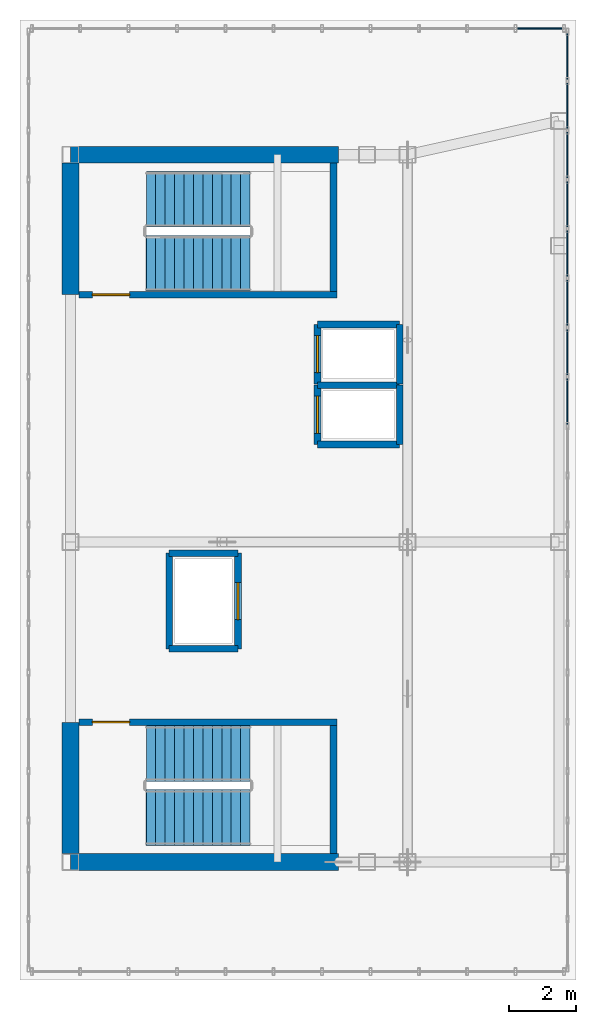
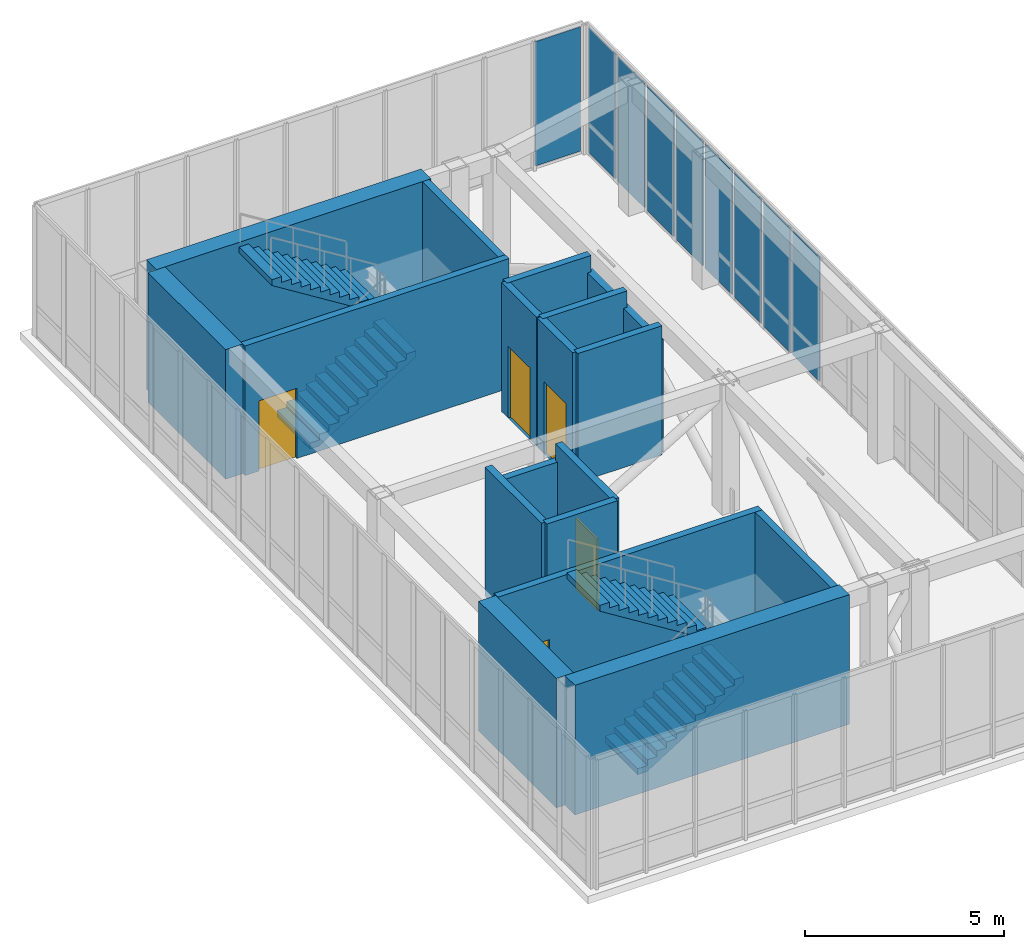
# One storey, part 12 of 13: 19 walls, 9 plates, 5 doors, 4 stair flights, 5 openings, 4 elements without a shape of their own.
"""IFC4 building model written with IfcOpenShell, lengths in metres."""

from ifc_helpers import new_model, si_unit, direction, frame, frame_2d, origin, origin_2d, place, context, subcontext, project, spatial, polyline, rectangle, outline, extrude, source, transform, mapped, material, layer, layer_set, type_object, element, fill, aggregate, save


model = new_model("IFC4")

# Units and contexts
model_context = context("Model", 3, precision=1e-05, world=origin(), true_north=direction((0.0, 1.0)))
body_context = subcontext(model_context, "Body", "Model", "MODEL_VIEW")
ifc_project = project(units=[si_unit("LENGTHUNIT", "METRE"), si_unit("AREAUNIT", "SQUARE_METRE"), si_unit("VOLUMEUNIT", "CUBIC_METRE"), si_unit("PLANEANGLEUNIT", "RADIAN"), si_unit("MASSUNIT", "GRAM", prefix="KILO")], contexts=[model_context])

# Site, building, storey
site_placement = place(None, origin())
site = spatial("IfcSite", under=ifc_project, at=site_placement, CompositionType="ELEMENT")
building_placement = place(site_placement, origin())
building = spatial("IfcBuilding", under=site, at=building_placement, Name="Kharzan Plaza Tower", CompositionType="ELEMENT")
storey_placement = place(building_placement, frame((0.0, 0.0, 289.800048828125)))
storey = spatial("IfcBuildingStorey", under=building, at=storey_placement, Name="L78-CROWN", CompositionType="ELEMENT", Elevation=289.800048828125)

# Curtain wall, plate
ifc_material_1 = material(Name="Unitised Bronze-Anodized Aluminium and Low-E Glass", Category="aluminium")
ifc_layer_1 = layer(ifc_material_1, 0.199951171875)
ifc_layer_set_1 = layer_set([ifc_layer_1], Name="Unitised Bronze-Anodized Aluminium and Low-E Glass")
curtain_wall_type = type_object("IfcCurtainWallType", Name="CW-LANTERN-6", PredefinedType="NOTDEFINED", material=ifc_layer_set_1)
curtain_wall_1_placement = place(storey_placement, origin())
curtain_wall_1 = element("IfcCurtainWall", 1, at=curtain_wall_1_placement, inside=storey, type_object=curtain_wall_type, Name="L78-CROWN Lantern Crown Illuminated Curtain Wall 3", PredefinedType="NOTDEFINED")
ifc_material_2 = material(Name="Low-Iron Fritted Lantern Crown Glazing", Category="glass")
ifc_layer_2 = layer(ifc_material_2, 0.035888671875)
ifc_layer_set_2 = layer_set([ifc_layer_2], Name="Low-Iron Fritted Lantern Crown Glazing")
plate_type = type_object("IfcPlateType", Name="PLT-CW-LANTERN", PredefinedType="CURTAIN_PANEL", material=ifc_layer_set_2)
shared_shape_1 = source(origin(), body_context, "Body", "SweptSolid", [
    extrude(rectangle(XDim=1.31640625, YDim=0.035888671875, at=origin_2d()), origin(), (0.0, 0.0, 1.0), 3.81005859375),
])
plate_1_placement = place(storey_placement, frame((18.431884765625, 33.25, 0.079833984375), z_axis=(0.0, 0.0, 1.0), x_axis=(-1.0, 0.0, 0.0)))
plate_1 = element("IfcPlate", 2, at=plate_1_placement, type_object=plate_type, Name="L78-CROWN Curtain-Wall Glazed Panel 00", PredefinedType="CURTAIN_PANEL", context=body_context, shape_type="MappedRepresentation", body=[
    mapped(shared_shape_1, transform((0.0, 0.0, 0.0), x_axis=(1.0, 0.0, 0.0), y_axis=(0.0, 1.0, 0.0), z_axis=(0.0, 0.0, 1.0))),
])
aggregate(curtain_wall_1, [plate_1])

# Curtain wall, plates
curtain_wall_2_placement = place(storey_placement, origin())
curtain_wall_2 = element("IfcCurtainWall", 3, at=curtain_wall_2_placement, inside=storey, type_object=curtain_wall_type, Name="L78-CROWN Lantern Crown Illuminated Curtain Wall 2", PredefinedType="NOTDEFINED")
shared_shape_2 = source(origin(), body_context, "Body", "SweptSolid", [
    extrude(rectangle(XDim=1.34326171875, YDim=0.035888671875, at=origin_2d()), origin(), (0.0, 0.0, 1.0), 3.81005859375),
])
plate_2_placement = place(storey_placement, frame((19.25, 22.17626953125, 0.079833984375), z_axis=(0.0, 0.0, 1.0), x_axis=(0.0, 1.0, 0.0)))
plate_2 = element("IfcPlate", 4, at=plate_2_placement, type_object=plate_type, Name="L78-CROWN Curtain-Wall Glazed Panel 11", PredefinedType="CURTAIN_PANEL", context=body_context, shape_type="MappedRepresentation", body=[
    mapped(shared_shape_2, transform((0.0, 0.0, 0.0), x_axis=(1.0, 0.0, 0.0), y_axis=(0.0, 1.0, 0.0), z_axis=(0.0, 0.0, 1.0))),
])
plate_3_placement = place(storey_placement, frame((19.25, 23.639404296875, 0.079833984375), z_axis=(0.0, 0.0, 1.0), x_axis=(0.0, 1.0, 0.0)))
plate_3 = element("IfcPlate", 5, at=plate_3_placement, type_object=plate_type, Name="L78-CROWN Curtain-Wall Glazed Panel 12", PredefinedType="CURTAIN_PANEL", context=body_context, shape_type="MappedRepresentation", body=[
    mapped(shared_shape_2, transform((0.0, 0.0, 0.0), x_axis=(1.0, 0.0, 0.0), y_axis=(0.0, 1.0, 0.0), z_axis=(0.0, 0.0, 1.0))),
])
plate_4_placement = place(storey_placement, frame((19.25, 25.1025390625, 0.079833984375), z_axis=(0.0, 0.0, 1.0), x_axis=(0.0, 1.0, 0.0)))
plate_4 = element("IfcPlate", 6, at=plate_4_placement, type_object=plate_type, Name="L78-CROWN Curtain-Wall Glazed Panel 13", PredefinedType="CURTAIN_PANEL", context=body_context, shape_type="MappedRepresentation", body=[
    mapped(shared_shape_2, transform((0.0, 0.0, 0.0), x_axis=(1.0, 0.0, 0.0), y_axis=(0.0, 1.0, 0.0), z_axis=(0.0, 0.0, 1.0))),
])
plate_5_placement = place(storey_placement, frame((19.25, 26.56591796875, 0.079833984375), z_axis=(0.0, 0.0, 1.0), x_axis=(0.0, 1.0, 0.0)))
plate_5 = element("IfcPlate", 7, at=plate_5_placement, type_object=plate_type, Name="L78-CROWN Curtain-Wall Glazed Panel 14", PredefinedType="CURTAIN_PANEL", context=body_context, shape_type="MappedRepresentation", body=[
    mapped(shared_shape_2, transform((0.0, 0.0, 0.0), x_axis=(1.0, 0.0, 0.0), y_axis=(0.0, 1.0, 0.0), z_axis=(0.0, 0.0, 1.0))),
])
plate_6_placement = place(storey_placement, frame((19.25, 28.02880859375, 0.079833984375), z_axis=(0.0, 0.0, 1.0), x_axis=(0.0, 1.0, 0.0)))
plate_6 = element("IfcPlate", 8, at=plate_6_placement, type_object=plate_type, Name="L78-CROWN Curtain-Wall Glazed Panel 15", PredefinedType="CURTAIN_PANEL", context=body_context, shape_type="MappedRepresentation", body=[
    mapped(shared_shape_2, transform((0.0, 0.0, 0.0), x_axis=(1.0, 0.0, 0.0), y_axis=(0.0, 1.0, 0.0), z_axis=(0.0, 0.0, 1.0))),
])
plate_7_placement = place(storey_placement, frame((19.25, 29.4921875, 0.079833984375), z_axis=(0.0, 0.0, 1.0), x_axis=(0.0, 1.0, 0.0)))
plate_7 = element("IfcPlate", 9, at=plate_7_placement, type_object=plate_type, Name="L78-CROWN Curtain-Wall Glazed Panel 16", PredefinedType="CURTAIN_PANEL", context=body_context, shape_type="MappedRepresentation", body=[
    mapped(shared_shape_2, transform((0.0, 0.0, 0.0), x_axis=(1.0, 0.0, 0.0), y_axis=(0.0, 1.0, 0.0), z_axis=(0.0, 0.0, 1.0))),
])
plate_8_placement = place(storey_placement, frame((19.25, 30.955322265625, 0.079833984375), z_axis=(0.0, 0.0, 1.0), x_axis=(0.0, 1.0, 0.0)))
plate_8 = element("IfcPlate", 10, at=plate_8_placement, type_object=plate_type, Name="L78-CROWN Curtain-Wall Glazed Panel 17", PredefinedType="CURTAIN_PANEL", context=body_context, shape_type="MappedRepresentation", body=[
    mapped(shared_shape_2, transform((0.0, 0.0, 0.0), x_axis=(1.0, 0.0, 0.0), y_axis=(0.0, 1.0, 0.0), z_axis=(0.0, 0.0, 1.0))),
])
plate_9_placement = place(storey_placement, frame((19.25, 32.41845703125, 0.079833984375), z_axis=(0.0, 0.0, 1.0), x_axis=(0.0, 1.0, 0.0)))
plate_9 = element("IfcPlate", 11, at=plate_9_placement, type_object=plate_type, Name="L78-CROWN Curtain-Wall Glazed Panel 18", PredefinedType="CURTAIN_PANEL", context=body_context, shape_type="MappedRepresentation", body=[
    mapped(shared_shape_2, transform((0.0, 0.0, 0.0), x_axis=(1.0, 0.0, 0.0), y_axis=(0.0, 1.0, 0.0), z_axis=(0.0, 0.0, 1.0))),
])
aggregate(curtain_wall_2, [plate_2, plate_3, plate_4, plate_5, plate_6, plate_7, plate_8, plate_9])

# Wall, opening, door
ifc_material_3 = material(Name="Concrete C40/50", Category="concrete")
ifc_layer_3 = layer(ifc_material_3, 0.199951171875)
ifc_layer_set_3 = layer_set([ifc_layer_3], Name="Concrete C40/50")
wall_type_1 = type_object("IfcWallType", Name="WL-INT-SHAFT-200", PredefinedType="PARTITIONING", material=ifc_layer_set_3)
wall_1_placement = place(storey_placement, frame((11.830078125, 20.89990234375, 0.0), z_axis=(0.0, 0.0, 1.0), x_axis=(0.0, 1.0, 0.0)))
wall_1 = element("IfcWall", 12, at=wall_1_placement, inside=storey, type_object=wall_type_1, Name="L78-CROWN Interior Partition SHF-FFL-1-W", PredefinedType="PARTITIONING", context=body_context, shape_type="SweptSolid", body=[
    extrude(rectangle(XDim=1.760009765625, YDim=0.199951171875, at=frame_2d((0.8798828125, 0.0))), origin(), (0.0, 0.0, 1.0), 3.954833984375),
])
opening_1_placement = place(wall_1_placement, frame((0.330078125, 0.0, 0.0)))
opening_1 = element("IfcOpeningElement", 13, at=opening_1_placement, cuts=wall_1, Name="Opening LD", PredefinedType="OPENING", context=body_context, shape_type="SweptSolid", body=[
    extrude(rectangle(XDim=1.10009765625, YDim=2.199951171875, at=frame_2d((0.550048828125, 1.10009765625))), frame((0.0, 0.10986328125, 0.0), z_axis=(0.0, -1.0, 0.0), x_axis=(1.0, 0.0, 0.0)), (0.0, 0.0, 1.0), 0.219970703125),
])
ifc_material_4 = material(Name="Brushed Stainless Steel", Category="steel")
door_type_1 = type_object("IfcDoorType", Name="DR-LIFT-SLIDE", OperationType="SLIDING_TO_LEFT", PredefinedType="DOOR", material=ifc_material_4)
shared_shape_3 = source(origin(), body_context, "Body", "SweptSolid", [
    extrude(rectangle(XDim=1.10009765625, YDim=2.199951171875, at=frame_2d((0.550048828125, 1.10009765625))), frame((0.0, 0.02490234375, 0.0), z_axis=(0.0, -1.0, 0.0), x_axis=(1.0, 0.0, 0.0)), (0.0, 0.0, 1.0), 0.050048828125),
])
door_1_placement = place(opening_1_placement, origin())
door_1 = element("IfcDoor", 14, at=door_1_placement, inside=storey, type_object=door_type_1, Name="L78-CROWN Firefighting Lift FFL-1 Sliding Landing Door", OperationType="SLIDING_TO_LEFT", OverallHeight=2.199951171875, OverallWidth=1.10009765625, PredefinedType="DOOR", context=body_context, shape_type="MappedRepresentation", body=[
    mapped(shared_shape_3, transform((0.0, 0.0, 0.0), x_axis=(1.0, 0.0, 0.0), y_axis=(0.0, 1.0, 0.0), z_axis=(0.0, 0.0, 1.0))),
])
fill(opening_1, door_1)

wall_2_placement = place(storey_placement, frame((11.830078125, 22.699951171875, 0.0), z_axis=(0.0, 0.0, 1.0), x_axis=(0.0, 1.0, 0.0)))
wall_2 = element("IfcWall", 15, at=wall_2_placement, inside=storey, type_object=wall_type_1, Name="L78-CROWN Interior Partition SHF-FFL-2-W", PredefinedType="PARTITIONING", context=body_context, shape_type="SweptSolid", body=[
    extrude(rectangle(XDim=1.760009765625, YDim=0.199951171875, at=frame_2d((0.8798828125, 0.0))), origin(), (0.0, 0.0, 1.0), 3.954833984375),
])
opening_2_placement = place(wall_2_placement, frame((0.330078125, 0.0, 0.0)))
opening_2 = element("IfcOpeningElement", 16, at=opening_2_placement, cuts=wall_2, Name="Opening LD", PredefinedType="OPENING", context=body_context, shape_type="SweptSolid", body=[
    extrude(rectangle(XDim=1.10009765625, YDim=2.199951171875, at=frame_2d((0.550048828125, 1.10009765625))), frame((0.0, 0.10986328125, 0.0), z_axis=(0.0, -1.0, 0.0), x_axis=(1.0, 0.0, 0.0)), (0.0, 0.0, 1.0), 0.219970703125),
])
door_2_placement = place(opening_2_placement, origin())
door_2 = element("IfcDoor", 17, at=door_2_placement, inside=storey, type_object=door_type_1, Name="L78-CROWN Firefighting Lift FFL-2 Sliding Landing Door", OperationType="SLIDING_TO_LEFT", OverallHeight=2.199951171875, OverallWidth=1.10009765625, PredefinedType="DOOR", context=body_context, shape_type="MappedRepresentation", body=[
    mapped(shared_shape_3, transform((0.0, 0.0, 0.0), x_axis=(1.0, 0.0, 0.0), y_axis=(0.0, 1.0, 0.0), z_axis=(0.0, 0.0, 1.0))),
])
fill(opening_2, door_2)

wall_3_placement = place(storey_placement, frame((9.469970703125, 14.830078125, 0.0), z_axis=(0.0, 0.0, 1.0), x_axis=(0.0, 1.0, 0.0)))
wall_3 = element("IfcWall", 18, at=wall_3_placement, inside=storey, type_object=wall_type_1, Name="L78-CROWN Interior Partition SHF-SVL-1-E", PredefinedType="PARTITIONING", context=body_context, shape_type="SweptSolid", body=[
    extrude(rectangle(XDim=2.83984375, YDim=0.199951171875, at=frame_2d((1.419921875, 0.0))), origin(), (0.0, 0.0, 1.0), 3.954833984375),
])
opening_3_placement = place(wall_3_placement, frame((0.8701171875, 0.0, 0.0)))
opening_3 = element("IfcOpeningElement", 19, at=opening_3_placement, cuts=wall_3, Name="Opening LD", PredefinedType="OPENING", context=body_context, shape_type="SweptSolid", body=[
    extrude(rectangle(XDim=1.10009765625, YDim=2.199951171875, at=frame_2d((0.550048828125, 1.10009765625))), frame((0.0, 0.10986328125, 0.0), z_axis=(0.0, -1.0, 0.0), x_axis=(1.0, 0.0, 0.0)), (0.0, 0.0, 1.0), 0.219970703125),
])
door_3_placement = place(opening_3_placement, origin())
door_3 = element("IfcDoor", 20, at=door_3_placement, inside=storey, type_object=door_type_1, Name="L78-CROWN Service Lift SVL-1 Sliding Landing Door", OperationType="SLIDING_TO_LEFT", OverallHeight=2.199951171875, OverallWidth=1.10009765625, PredefinedType="DOOR", context=body_context, shape_type="MappedRepresentation", body=[
    mapped(shared_shape_3, transform((0.0, 0.0, 0.0), x_axis=(1.0, 0.0, 0.0), y_axis=(0.0, 1.0, 0.0), z_axis=(0.0, 0.0, 1.0))),
])
fill(opening_3, door_3)

ifc_material_5 = material(Name="Concrete C50/60", Category="concrete")
ifc_layer_4 = layer(ifc_material_5, 0.199951171875)
ifc_layer_set_4 = layer_set([ifc_layer_4], Name="Concrete C50/60")
wall_type_2 = type_object("IfcWallType", Name="WL-SHAFT-RC200", PredefinedType="SHEAR", material=ifc_layer_set_4)
wall_4_placement = place(storey_placement, frame((4.751953125, 12.655029296875, 0.0), z_axis=(0.0, 0.0, 1.0), x_axis=(1.0, 0.0, 0.0)))
wall_4 = element("IfcWall", 21, at=wall_4_placement, inside=storey, type_object=wall_type_2, Name="L78-CROWN Stair ST-1 North RC Shaft Wall", PredefinedType="SHEAR", context=body_context, shape_type="SweptSolid", body=[
    extrude(rectangle(XDim=7.653076171875, YDim=0.199951171875, at=frame_2d((3.82666015625, 0.0))), origin(), (0.0, 0.0, 1.0), 3.969970703125),
])
opening_4_placement = place(wall_4_placement, frame((0.39990234375, 0.0, 0.0)))
opening_4 = element("IfcOpeningElement", 22, at=opening_4_placement, cuts=wall_4, Name="Opening SD1", PredefinedType="OPENING", context=body_context, shape_type="SweptSolid", body=[
    extrude(rectangle(XDim=1.10009765625, YDim=2.14990234375, at=frame_2d((0.550048828125, 1.074951171875))), frame((0.0, 0.10986328125, 0.0), z_axis=(0.0, -1.0, 0.0), x_axis=(1.0, 0.0, 0.0)), (0.0, 0.0, 1.0), 0.219970703125),
])
ifc_material_6 = material(Name="Fire-Rated Hollow Galvanized Steel", Category="steel")
door_type_2 = type_object("IfcDoorType", Name="DR-STAIR-FD120", OperationType="NOTDEFINED", PredefinedType="DOOR", material=ifc_material_6)
shared_shape_4 = source(origin(), body_context, "Body", "SweptSolid", [
    extrude(rectangle(XDim=1.10009765625, YDim=2.14990234375, at=frame_2d((0.550048828125, 1.074951171875))), frame((0.0, 0.02490234375, 0.0), z_axis=(0.0, -1.0, 0.0), x_axis=(1.0, 0.0, 0.0)), (0.0, 0.0, 1.0), 0.050048828125),
])
door_4_placement = place(opening_4_placement, origin())
door_4 = element("IfcDoor", 23, at=door_4_placement, inside=storey, type_object=door_type_2, Name="L78-CROWN Stair ST-1 Fire Exit Door", OperationType="SINGLE_SWING_RIGHT", OverallHeight=2.14990234375, OverallWidth=1.10009765625, PredefinedType="DOOR", context=body_context, shape_type="MappedRepresentation", body=[
    mapped(shared_shape_4, transform((0.0, 0.0, 0.0), x_axis=(1.0, 0.0, 0.0), y_axis=(0.0, 1.0, 0.0), z_axis=(0.0, 0.0, 1.0))),
])
fill(opening_4, door_4)

wall_5_placement = place(storey_placement, frame((4.751953125, 25.344970703125, 0.0), z_axis=(0.0, 0.0, 1.0), x_axis=(1.0, 0.0, 0.0)))
wall_5 = element("IfcWall", 24, at=wall_5_placement, inside=storey, type_object=wall_type_2, Name="L78-CROWN Stair ST-2 South RC Shaft Wall", PredefinedType="SHEAR", context=body_context, shape_type="SweptSolid", body=[
    extrude(rectangle(XDim=7.653076171875, YDim=0.199951171875, at=frame_2d((3.82666015625, 0.0))), origin(), (0.0, 0.0, 1.0), 3.969970703125),
])
opening_5_placement = place(wall_5_placement, frame((0.39990234375, 0.0, 0.0)))
opening_5 = element("IfcOpeningElement", 25, at=opening_5_placement, cuts=wall_5, Name="Opening SD1", PredefinedType="OPENING", context=body_context, shape_type="SweptSolid", body=[
    extrude(rectangle(XDim=1.10009765625, YDim=2.14990234375, at=frame_2d((0.550048828125, 1.074951171875))), frame((0.0, 0.10986328125, 0.0), z_axis=(0.0, -1.0, 0.0), x_axis=(1.0, 0.0, 0.0)), (0.0, 0.0, 1.0), 0.219970703125),
])
door_5_placement = place(opening_5_placement, origin())
door_5 = element("IfcDoor", 26, at=door_5_placement, inside=storey, type_object=door_type_2, Name="L78-CROWN Stair ST-2 Fire Exit Door", OperationType="SINGLE_SWING_LEFT", OverallHeight=2.14990234375, OverallWidth=1.10009765625, PredefinedType="DOOR", context=body_context, shape_type="MappedRepresentation", body=[
    mapped(shared_shape_4, transform((0.0, 0.0, 0.0), x_axis=(1.0, 0.0, 0.0), y_axis=(0.0, 1.0, 0.0), z_axis=(0.0, 0.0, 1.0))),
])
fill(opening_5, door_5)

# Walls
ifc_layer_5 = layer(ifc_material_5, 0.5)
ifc_layer_set_5 = layer_set([ifc_layer_5], Name="Concrete C50/60")
wall_type_3 = type_object("IfcWallType", Name="WL-CORE-500", PredefinedType="SHEAR", material=ifc_layer_set_5)
shared_shape_5 = source(origin(), body_context, "Body", "SweptSolid", [
    extrude(rectangle(XDim=7.949951171875, YDim=0.5, at=frame_2d((3.97509765625, 0.0))), origin(), (0.0, 0.0, 1.0), 3.969970703125),
])
for number, where, z_axis, x_axis, name in (
    (27, (4.5, 8.5, 0.0), (0.0, 0.0, 1.0), (1.0, 0.0, 0.0), "L78-CROWN Stair ST-1 South RC Shear Wall"),
    (28, (4.5, 29.5, 0.0), (0.0, 0.0, 1.0), (1.0, 0.0, 0.0), "L78-CROWN Stair ST-2 North RC Shear Wall"),
):
    element("IfcWall", number, at=place(storey_placement, frame(where, z_axis=z_axis, x_axis=x_axis)), inside=storey, type_object=wall_type_3, Name=name, PredefinedType="SHEAR", context=body_context, shape_type="MappedRepresentation", body=[
        mapped(shared_shape_5, transform((0.0, 0.0, 0.0), x_axis=(1.0, 0.0, 0.0), y_axis=(0.0, 1.0, 0.0), z_axis=(0.0, 0.0, 1.0))),
    ])
shared_shape_6 = source(origin(), body_context, "Body", "SweptSolid", [
    extrude(rectangle(XDim=3.89990234375, YDim=0.5, at=frame_2d((1.949951171875, 0.0))), origin(), (0.0, 0.0, 1.0), 3.969970703125),
])
for number, where, z_axis, x_axis, name in (
    (29, (4.5, 8.75, 0.0), (0.0, 0.0, 1.0), (0.0, 1.0, 0.0), "L78-CROWN Stair ST-1 West RC Shear Wall"),
    (30, (4.5, 25.35009765625, 0.0), (0.0, 0.0, 1.0), (0.0, 1.0, 0.0), "L78-CROWN Stair ST-2 West RC Shear Wall"),
):
    element("IfcWall", number, at=place(storey_placement, frame(where, z_axis=z_axis, x_axis=x_axis)), inside=storey, type_object=wall_type_3, Name=name, PredefinedType="SHEAR", context=body_context, shape_type="MappedRepresentation", body=[
        mapped(shared_shape_6, transform((0.0, 0.0, 0.0), x_axis=(1.0, 0.0, 0.0), y_axis=(0.0, 1.0, 0.0), z_axis=(0.0, 0.0, 1.0))),
    ])
shared_shape_7 = source(origin(), body_context, "Body", "SweptSolid", [
    extrude(rectangle(XDim=3.802978515625, YDim=0.199951171875, at=frame_2d((1.9013671875, 0.0))), origin(), (0.0, 0.0, 1.0), 3.969970703125),
])
for number, where, z_axis, x_axis, name in (
    (31, (12.304931640625, 8.751953125, 0.0), (0.0, 0.0, 1.0), (0.0, 1.0, 0.0), "L78-CROWN Stair ST-1 East RC Shaft Wall"),
    (32, (12.304931640625, 25.445068359375, 0.0), (0.0, 0.0, 1.0), (0.0, 1.0, 0.0), "L78-CROWN Stair ST-2 East RC Shaft Wall"),
):
    element("IfcWall", number, at=place(storey_placement, frame(where, z_axis=z_axis, x_axis=x_axis)), inside=storey, type_object=wall_type_2, Name=name, PredefinedType="SHEAR", context=body_context, shape_type="MappedRepresentation", body=[
        mapped(shared_shape_7, transform((0.0, 0.0, 0.0), x_axis=(1.0, 0.0, 0.0), y_axis=(0.0, 1.0, 0.0), z_axis=(0.0, 0.0, 1.0))),
    ])
shared_shape_8 = source(origin(), body_context, "Body", "SweptSolid", [
    extrude(rectangle(XDim=1.760009765625, YDim=0.199951171875, at=frame_2d((0.8798828125, 0.0))), origin(), (0.0, 0.0, 1.0), 3.454833984375),
])
for number, where, z_axis, x_axis, name in (
    (33, (14.27001953125, 20.89990234375, 0.0), (0.0, 0.0, 1.0), (0.0, 1.0, 0.0), "L78-CROWN Interior Partition SHF-FFL-1-E"),
    (34, (14.27001953125, 22.699951171875, 0.0), (0.0, 0.0, 1.0), (0.0, 1.0, 0.0), "L78-CROWN Interior Partition SHF-FFL-2-E"),
):
    element("IfcWall", number, at=place(storey_placement, frame(where, z_axis=z_axis, x_axis=x_axis)), inside=storey, type_object=wall_type_1, Name=name, PredefinedType="PARTITIONING", context=body_context, shape_type="MappedRepresentation", body=[
        mapped(shared_shape_8, transform((0.0, 0.0, 0.0), x_axis=(1.0, 0.0, 0.0), y_axis=(0.0, 1.0, 0.0), z_axis=(0.0, 0.0, 1.0))),
    ])
shared_shape_9 = source(origin(), body_context, "Body", "SweptSolid", [
    extrude(rectangle(XDim=2.43994140625, YDim=0.199951171875, at=frame_2d((1.219970703125, 0.0))), origin(), (0.0, 0.0, 1.0), 3.954833984375),
])
for number, where, z_axis, x_axis, name in (
    (35, (11.830078125, 22.659912109375, 0.0), (0.0, 0.0, 1.0), (1.0, 0.0, 0.0), "L78-CROWN Interior Partition SHF-FFL-1-N"),
    (36, (11.830078125, 20.89990234375, 0.0), (0.0, 0.0, 1.0), (1.0, 0.0, 0.0), "L78-CROWN Interior Partition SHF-FFL-1-S"),
    (37, (11.830078125, 24.4599609375, 0.0), (0.0, 0.0, 1.0), (1.0, 0.0, 0.0), "L78-CROWN Interior Partition SHF-FFL-2-N"),
):
    element("IfcWall", number, at=place(storey_placement, frame(where, z_axis=z_axis, x_axis=x_axis)), inside=storey, type_object=wall_type_1, Name=name, PredefinedType="PARTITIONING", context=body_context, shape_type="MappedRepresentation", body=[
        mapped(shared_shape_9, transform((0.0, 0.0, 0.0), x_axis=(1.0, 0.0, 0.0), y_axis=(0.0, 1.0, 0.0), z_axis=(0.0, 0.0, 1.0))),
    ])
shared_shape_10 = source(origin(), body_context, "Body", "SweptSolid", [
    extrude(rectangle(XDim=2.0400390625, YDim=0.199951171875, at=frame_2d((1.02001953125, 0.0))), origin(), (0.0, 0.0, 1.0), 3.454833984375),
])
wall_6_placement = place(storey_placement, frame((7.429931640625, 17.669921875, 0.0), z_axis=(0.0, 0.0, 1.0), x_axis=(1.0, 0.0, 0.0)))
element("IfcWall", 38, at=wall_6_placement, inside=storey, type_object=wall_type_1, Name="L78-CROWN Interior Partition SHF-SVL-1-N", PredefinedType="PARTITIONING", context=body_context, shape_type="MappedRepresentation", body=[
    mapped(shared_shape_10, transform((0.0, 0.0, 0.0), x_axis=(1.0, 0.0, 0.0), y_axis=(0.0, 1.0, 0.0), z_axis=(0.0, 0.0, 1.0))),
])
shared_shape_11 = source(origin(), body_context, "Body", "SweptSolid", [
    extrude(rectangle(XDim=2.0400390625, YDim=0.199951171875, at=frame_2d((1.02001953125, 0.0))), origin(), (0.0, 0.0, 1.0), 3.954833984375),
])
wall_7_placement = place(storey_placement, frame((7.429931640625, 14.830078125, 0.0), z_axis=(0.0, 0.0, 1.0), x_axis=(1.0, 0.0, 0.0)))
element("IfcWall", 39, at=wall_7_placement, inside=storey, type_object=wall_type_1, Name="L78-CROWN Interior Partition SHF-SVL-1-S", PredefinedType="PARTITIONING", context=body_context, shape_type="MappedRepresentation", body=[
    mapped(shared_shape_11, transform((0.0, 0.0, 0.0), x_axis=(1.0, 0.0, 0.0), y_axis=(0.0, 1.0, 0.0), z_axis=(0.0, 0.0, 1.0))),
])
shared_shape_12 = source(origin(), body_context, "Body", "SweptSolid", [
    extrude(rectangle(XDim=2.83984375, YDim=0.199951171875, at=frame_2d((1.419921875, 0.0))), origin(), (0.0, 0.0, 1.0), 3.954833984375),
])
wall_8_placement = place(storey_placement, frame((7.429931640625, 14.830078125, 0.0), z_axis=(0.0, 0.0, 1.0), x_axis=(0.0, 1.0, 0.0)))
element("IfcWall", 40, at=wall_8_placement, inside=storey, type_object=wall_type_1, Name="L78-CROWN Interior Partition SHF-SVL-1-W", PredefinedType="PARTITIONING", context=body_context, shape_type="MappedRepresentation", body=[
    mapped(shared_shape_12, transform((0.0, 0.0, 0.0), x_axis=(1.0, 0.0, 0.0), y_axis=(0.0, 1.0, 0.0), z_axis=(0.0, 0.0, 1.0))),
])

# Stair, stair flights
stair_type_1 = type_object("IfcStairType", Name="STR-ST-1", PredefinedType="HALF_TURN_STAIR", material=ifc_material_3)
stair_1_placement = place(storey_placement, origin())
stair_1 = element("IfcStair", 41, at=stair_1_placement, inside=storey, type_object=stair_type_1, Name="L78-CROWN Protected Exit Stair ST-1", PredefinedType="HALF_TURN_STAIR")
stair_flight_type = type_object("IfcStairFlightType", Name="SFL-1650-R173", PredefinedType="STRAIGHT", material=ifc_material_3)
shared_shape_13 = source(origin(), body_context, "Body", "SweptSolid", [
    extrude(outline(polyline([(-0.0029296875, -0.011962890625), (-0.0029296875, 0.0), (0.0, 0.0), (0.0, 0.175048828125), (0.280029296875, 0.175048828125), (0.280029296875, 0.35009765625), (0.56005859375, 0.35009765625), (0.56005859375, 0.525146484375), (0.840087890625, 0.525146484375), (0.840087890625, 0.7001953125), (1.1201171875, 0.7001953125), (1.1201171875, 0.875244140625), (1.400146484375, 0.875244140625), (1.400146484375, 1.05029296875), (1.68017578125, 1.05029296875), (1.68017578125, 1.225341796875), (1.960205078125, 1.225341796875), (1.960205078125, 1.400390625), (2.240234375, 1.400390625), (2.240234375, 1.575439453125), (2.520263671875, 1.575439453125), (2.520263671875, 1.75048828125), (2.80029296875, 1.75048828125), (2.80029296875, 1.925537109375), (3.080322265625, 1.925537109375), (3.080322265625, 2.1005859375), (3.080322265625, 1.748779296875), (0.28271484375, 0.0), (0.28271484375, -0.011962890625), (-0.0029296875, -0.011962890625)])), frame((0.0, 0.824951171875, 0.0), z_axis=(0.0, -1.0, 0.0), x_axis=(1.0, 0.0, 0.0)), (0.0, 0.0, 1.0), 1.64990234375),
])
stair_flight_1_placement = place(storey_placement, frame((6.75, 9.824951171875, 0.0), z_axis=(0.0, 0.0, 1.0), x_axis=(1.0, 0.0, 0.0)))
stair_flight_1 = element("IfcStairFlight", 42, at=stair_flight_1_placement, type_object=stair_flight_type, Name="ST-1 flight 1", NumberOfRisers=12, NumberOfTreads=11, PredefinedType="STRAIGHT", RiserHeight=0.175, TreadLength=0.28, context=body_context, shape_type="MappedRepresentation", body=[
    mapped(shared_shape_13, transform((0.0, 0.0, 0.0), x_axis=(1.0, 0.0, 0.0), y_axis=(0.0, 1.0, 0.0), z_axis=(0.0, 0.0, 1.0))),
])
stair_flight_2_placement = place(storey_placement, frame((9.830078125, 11.72509765625, 2.099853515625), z_axis=(0.0, 0.0, 1.0), x_axis=(-1.0, 0.0, 0.0)))
stair_flight_2 = element("IfcStairFlight", 43, at=stair_flight_2_placement, type_object=stair_flight_type, Name="ST-1 flight 2", NumberOfRisers=12, NumberOfTreads=11, PredefinedType="STRAIGHT", RiserHeight=0.175, TreadLength=0.28, context=body_context, shape_type="MappedRepresentation", body=[
    mapped(shared_shape_13, transform((0.0, 0.0, 0.0), x_axis=(1.0, 0.0, 0.0), y_axis=(0.0, 1.0, 0.0), z_axis=(0.0, 0.0, 1.0))),
])
aggregate(stair_1, [stair_flight_1, stair_flight_2])

stair_type_2 = type_object("IfcStairType", Name="STR-ST-2", PredefinedType="HALF_TURN_STAIR", material=ifc_material_3)
stair_2_placement = place(storey_placement, origin())
stair_2 = element("IfcStair", 44, at=stair_2_placement, inside=storey, type_object=stair_type_2, Name="L78-CROWN Protected Exit Stair ST-2", PredefinedType="HALF_TURN_STAIR")
stair_flight_3_placement = place(storey_placement, frame((6.75, 26.27490234375, 0.0), z_axis=(0.0, 0.0, 1.0), x_axis=(1.0, 0.0, 0.0)))
stair_flight_3 = element("IfcStairFlight", 45, at=stair_flight_3_placement, type_object=stair_flight_type, Name="ST-2 flight 1", NumberOfRisers=12, NumberOfTreads=11, PredefinedType="STRAIGHT", RiserHeight=0.175, TreadLength=0.28, context=body_context, shape_type="MappedRepresentation", body=[
    mapped(shared_shape_13, transform((0.0, 0.0, 0.0), x_axis=(1.0, 0.0, 0.0), y_axis=(0.0, 1.0, 0.0), z_axis=(0.0, 0.0, 1.0))),
])
stair_flight_4_placement = place(storey_placement, frame((9.830078125, 28.175048828125, 2.099853515625), z_axis=(0.0, 0.0, 1.0), x_axis=(-1.0, 0.0, 0.0)))
stair_flight_4 = element("IfcStairFlight", 46, at=stair_flight_4_placement, type_object=stair_flight_type, Name="ST-2 flight 2", NumberOfRisers=12, NumberOfTreads=11, PredefinedType="STRAIGHT", RiserHeight=0.175, TreadLength=0.28, context=body_context, shape_type="MappedRepresentation", body=[
    mapped(shared_shape_13, transform((0.0, 0.0, 0.0), x_axis=(1.0, 0.0, 0.0), y_axis=(0.0, 1.0, 0.0), z_axis=(0.0, 0.0, 1.0))),
])
aggregate(stair_2, [stair_flight_3, stair_flight_4])

save(model, "model.ifc")
